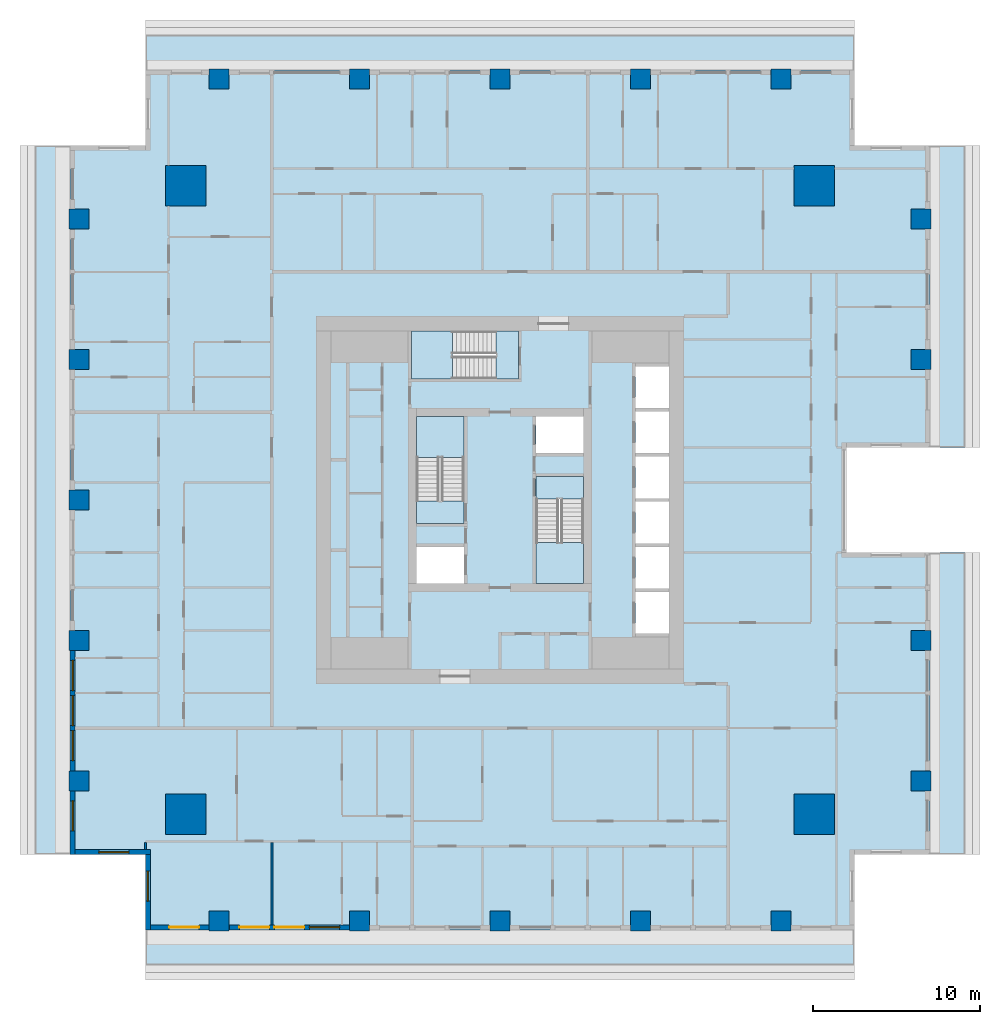
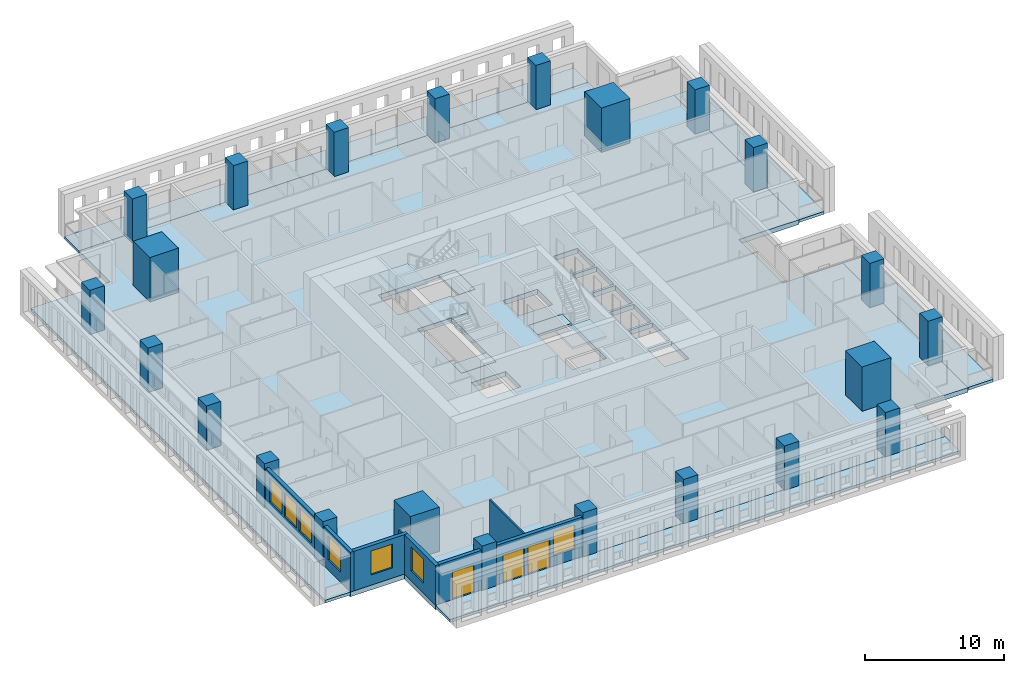
# One storey, part 1 of 16: 23 columns, 12 slabs, 8 walls, 7 windows, 3 doors, 10 openings, 3 elements without a shape of their own.
"""IFC4 building model written with IfcOpenShell, lengths in metres."""

from ifc_helpers import new_model, si_unit, direction, frame, frame_2d, origin, origin_2d, place, context, subcontext, project, spatial, polyline, rectangle, outline, extrude, material, layer, layer_set, material_profile, profile_set, type_object, element, fill, aggregate, save


model = new_model("IFC4")

# Units and contexts
model_context = context("Model", 3, precision=1e-05, world=origin(), true_north=direction((0.0, 1.0)))
body_context = subcontext(model_context, "Body", "Model", "MODEL_VIEW")
ifc_project = project(units=[si_unit("LENGTHUNIT", "METRE"), si_unit("AREAUNIT", "SQUARE_METRE"), si_unit("VOLUMEUNIT", "CUBIC_METRE"), si_unit("PLANEANGLEUNIT", "RADIAN"), si_unit("MASSUNIT", "GRAM", prefix="KILO")], contexts=[model_context])

# Site, building, storey
site_placement = place(None, origin())
site = spatial("IfcSite", under=ifc_project, at=site_placement, CompositionType="ELEMENT")
building_placement = place(site_placement, origin())
building = spatial("IfcBuilding", under=site, at=building_placement, Name="Khepri Terraces", CompositionType="ELEMENT")
storey_placement = place(building_placement, frame((0.0, 0.0, 192.300048828125)))
storey = spatial("IfcBuildingStorey", under=building, at=storey_placement, Name="L45", CompositionType="ELEMENT", Elevation=192.300048828125)

# Columns
ifc_material_1 = material(Name="Concrete C50/60", Category="concrete")
ifc_material_profile_1 = material_profile(ifc_material_1, rectangle(XDim=2.39990234375, YDim=2.39990234375, at=origin_2d()), Name="Concrete C50/60", Category="concrete")
ifc_profile_set_1 = profile_set([ifc_material_profile_1], Name="Concrete C50/60")
column_type_1 = type_object("IfcColumnType", Name="Mega column RC 2400x2400 C50/60", PredefinedType="COLUMN", material=ifc_profile_set_1)
for number, where, z_axis, x_axis, name in (
    (1, (18.800048828125, 18.800048828125, 0.0), (0.0, 0.0, 1.0), (1.0, 0.0, 0.0), "Mega column MEN L45"),
    (2, (18.800048828125, -18.800048828125, 0.0), (0.0, 0.0, 1.0), (1.0, 0.0, 0.0), "Mega column MES L45"),
    (3, (-18.800048828125, 18.800048828125, 0.0), (0.0, 0.0, 1.0), (1.0, 0.0, 0.0), "Mega column MWN L45"),
    (4, (-18.800048828125, -18.800048828125, 0.0), (0.0, 0.0, 1.0), (1.0, 0.0, 0.0), "Mega column MWS L45"),
):
    element("IfcColumn", number, at=place(storey_placement, frame(where, z_axis=z_axis, x_axis=x_axis)), inside=storey, type_object=column_type_1, Name=name, PredefinedType="COLUMN", context=body_context, shape_type="SweptSolid", body=[
        extrude(rectangle(XDim=2.39990234375, YDim=2.39990234375, at=origin_2d()), origin(), (0.0, 0.0, 1.0), 3.89990234375),
    ])
ifc_material_profile_2 = material_profile(ifc_material_1, rectangle(XDim=1.199951171875, YDim=1.199951171875, at=origin_2d()), Name="Concrete C50/60", Category="concrete")
ifc_profile_set_2 = profile_set([ifc_material_profile_2], Name="Concrete C50/60")
column_type_2 = type_object("IfcColumnType", Name="Tower column RC 1200x1200 C50/60", PredefinedType="COLUMN", material=ifc_profile_set_2)
for number, where, z_axis, x_axis, name in (
    (5, (25.199951171875, 8.39990234375, 0.0), (0.0, 0.0, 1.0), (1.0, 0.0, 0.0), "Perimeter column PE+084a L45"),
    (6, (25.199951171875, 16.800048828125, 0.0), (0.0, 0.0, 1.0), (1.0, 0.0, 0.0), "Perimeter column PE+168a L45"),
    (7, (25.199951171875, -8.39990234375, 0.0), (0.0, 0.0, 1.0), (1.0, 0.0, 0.0), "Perimeter column PE-084a L45"),
    (8, (25.199951171875, -16.800048828125, 0.0), (0.0, 0.0, 1.0), (1.0, 0.0, 0.0), "Perimeter column PE-168a L45"),
    (9, (0.0, 25.199951171875, 0.0), (0.0, 0.0, 1.0), (1.0, 0.0, 0.0), "Perimeter column PN+000b L45"),
    (10, (-8.39990234375, 25.199951171875, 0.0), (0.0, 0.0, 1.0), (1.0, 0.0, 0.0), "Perimeter column PN+084b L45"),
    (11, (-16.800048828125, 25.199951171875, 0.0), (0.0, 0.0, 1.0), (1.0, 0.0, 0.0), "Perimeter column PN+168a L45"),
    (12, (8.39990234375, 25.199951171875, 0.0), (0.0, 0.0, 1.0), (1.0, 0.0, 0.0), "Perimeter column PN-084b L45"),
    (13, (16.800048828125, 25.199951171875, 0.0), (0.0, 0.0, 1.0), (1.0, 0.0, 0.0), "Perimeter column PN-168a L45"),
    (14, (0.0, -25.199951171875, 0.0), (0.0, 0.0, 1.0), (1.0, 0.0, 0.0), "Perimeter column PS+000b L45"),
    (15, (8.39990234375, -25.199951171875, 0.0), (0.0, 0.0, 1.0), (1.0, 0.0, 0.0), "Perimeter column PS+084b L45"),
    (16, (16.800048828125, -25.199951171875, 0.0), (0.0, 0.0, 1.0), (1.0, 0.0, 0.0), "Perimeter column PS+168a L45"),
    (17, (-8.39990234375, -25.199951171875, 0.0), (0.0, 0.0, 1.0), (1.0, 0.0, 0.0), "Perimeter column PS-084b L45"),
    (18, (-16.800048828125, -25.199951171875, 0.0), (0.0, 0.0, 1.0), (1.0, 0.0, 0.0), "Perimeter column PS-168a L45"),
    (19, (-25.199951171875, 0.0, 0.0), (0.0, 0.0, 1.0), (1.0, 0.0, 0.0), "Perimeter column PW+000b L45"),
    (20, (-25.199951171875, -8.39990234375, 0.0), (0.0, 0.0, 1.0), (1.0, 0.0, 0.0), "Perimeter column PW+084b L45"),
    (21, (-25.199951171875, -16.800048828125, 0.0), (0.0, 0.0, 1.0), (1.0, 0.0, 0.0), "Perimeter column PW+168a L45"),
    (22, (-25.199951171875, 8.39990234375, 0.0), (0.0, 0.0, 1.0), (1.0, 0.0, 0.0), "Perimeter column PW-084b L45"),
    (23, (-25.199951171875, 16.800048828125, 0.0), (0.0, 0.0, 1.0), (1.0, 0.0, 0.0), "Perimeter column PW-168a L45"),
):
    element("IfcColumn", number, at=place(storey_placement, frame(where, z_axis=z_axis, x_axis=x_axis)), inside=storey, type_object=column_type_2, Name=name, PredefinedType="COLUMN", context=body_context, shape_type="SweptSolid", body=[
        extrude(rectangle(XDim=1.199951171875, YDim=1.199951171875, at=origin_2d()), origin(), (0.0, 0.0, 1.0), 3.89990234375),
    ])

# Slabs
ifc_material_2 = material(Name="Concrete C40/50", Category="concrete")
ifc_layer_1 = layer(ifc_material_2, 0.419921875, Name="Concrete C40/50", Category="concrete")
ifc_layer_set_1 = layer_set([ifc_layer_1], Name="Concrete C40/50")
slab_type_1 = type_object("IfcSlabType", Name="Flat plate 420", PredefinedType="FLOOR", material=ifc_layer_set_1)
slab_1_placement = place(storey_placement, frame((0.0, 0.0, -0.420166015625)))
element("IfcSlab", 24, at=slab_1_placement, inside=storey, type_object=slab_type_1, Name="Floor slab F01 L45", PredefinedType="FLOOR", context=body_context, shape_type="SweptSolid", body=[
    extrude(outline(polyline([(25.719970703125, 3.14990234375), (20.719970703125, 3.14990234375), (20.719970703125, -3.14990234375), (25.719970703125, -3.14990234375), (25.719970703125, -21.219970703125), (21.219970703125, -21.219970703125), (21.219970703125, -25.719970703125), (-21.219970703125, -25.719970703125), (-21.219970703125, -21.219970703125), (-25.719970703125, -21.219970703125), (-25.719970703125, 21.219970703125), (-21.219970703125, 21.219970703125), (-21.219970703125, 25.719970703125), (21.219970703125, 25.719970703125), (21.219970703125, 21.219970703125), (25.719970703125, 21.219970703125), (25.719970703125, 3.14990234375)]), holes=[polyline([(2.14990234375, 2.800048828125), (5.0, 2.800048828125), (5.0, 5.0), (2.14990234375, 5.0), (2.14990234375, 2.800048828125)]), polyline([(-5.0, -2.800048828125), (-5.0, -5.0), (-2.14990234375, -5.0), (-2.14990234375, -2.800048828125), (-5.0, -2.800048828125)]), polyline([(10.10009765625, -5.5), (8.10009765625, -5.5), (8.10009765625, -8.0), (10.10009765625, -8.0), (10.10009765625, -5.5)]), polyline([(10.10009765625, -5.300048828125), (10.10009765625, -2.800048828125), (8.10009765625, -2.800048828125), (8.10009765625, -5.300048828125), (10.10009765625, -5.300048828125)]), polyline([(8.10009765625, -2.60009765625), (10.10009765625, -2.60009765625), (10.10009765625, -0.10009765625), (8.10009765625, -0.10009765625), (8.10009765625, -2.60009765625)]), polyline([(8.10009765625, 2.60009765625), (8.10009765625, 0.10009765625), (10.10009765625, 0.10009765625), (10.10009765625, 2.60009765625), (8.10009765625, 2.60009765625)]), polyline([(10.10009765625, 5.300048828125), (8.10009765625, 5.300048828125), (8.10009765625, 2.800048828125), (10.10009765625, 2.800048828125), (10.10009765625, 5.300048828125)]), polyline([(10.10009765625, 5.5), (10.10009765625, 8.0), (8.10009765625, 8.0), (8.10009765625, 5.5), (10.10009765625, 5.5)]), polyline([(-5.0, -1.39990234375), (-2.14990234375, -1.39990234375), (-2.14990234375, 5.0), (-5.0, 5.0), (-5.0, -1.39990234375)]), polyline([(5.0, -5.0), (5.0, 1.39990234375), (2.14990234375, 1.39990234375), (2.14990234375, -5.0), (5.0, -5.0)]), polyline([(-5.300048828125, 10.10009765625), (-5.300048828125, 7.25), (1.10009765625, 7.25), (1.10009765625, 10.10009765625), (-5.300048828125, 10.10009765625)])]), origin(), (0.0, 0.0, 1.0), 0.420166015625),
])
ifc_material_3 = material(Name="Precast concrete C50/60 warm stone", Category="masonry")
ifc_layer_2 = layer(ifc_material_3, 0.25, Name="Precast concrete C50/60 warm stone", Category="masonry")
ifc_layer_set_2 = layer_set([ifc_layer_2], Name="Precast concrete C50/60 warm stone")
slab_type_2 = type_object("IfcSlabType", Name="SLB-BALCONY-250", PredefinedType="FLOOR", material=ifc_layer_set_2)
slab_2_placement = place(storey_placement, frame((0.0, 0.0, -0.25)))
element("IfcSlab", 25, at=slab_2_placement, inside=storey, type_object=slab_type_2, Name="Balcony slab L45 S", PredefinedType="FLOOR", context=body_context, shape_type="SweptSolid", body=[
    extrude(outline(polyline([(-17.39990234375, -25.719970703125), (-21.219970703125, -25.719970703125), (-21.219970703125, -27.820068359375), (21.219970703125, -27.820068359375), (21.219970703125, -25.719970703125), (17.39990234375, -25.719970703125), (17.39990234375, -25.800048828125), (16.199951171875, -25.800048828125), (16.199951171875, -25.719970703125), (9.0, -25.719970703125), (9.0, -25.800048828125), (7.800048828125, -25.800048828125), (7.800048828125, -25.719970703125), (0.60009765625, -25.719970703125), (0.60009765625, -25.800048828125), (-0.60009765625, -25.800048828125), (-0.60009765625, -25.719970703125), (-7.800048828125, -25.719970703125), (-7.800048828125, -25.800048828125), (-9.0, -25.800048828125), (-9.0, -25.719970703125), (-16.199951171875, -25.719970703125), (-16.199951171875, -25.800048828125), (-17.39990234375, -25.800048828125), (-17.39990234375, -25.719970703125)])), origin(), (0.0, 0.0, 1.0), 0.25),
])
slab_3_placement = place(storey_placement, frame((0.0, 0.0, -0.25)))
element("IfcSlab", 26, at=slab_3_placement, inside=storey, type_object=slab_type_2, Name="Balcony slab L45 E", PredefinedType="FLOOR", context=body_context, shape_type="SweptSolid", body=[
    extrude(outline(polyline([(25.719970703125, -17.39990234375), (25.719970703125, -21.219970703125), (27.820068359375, -21.219970703125), (27.820068359375, -3.14990234375), (25.719970703125, -3.14990234375), (25.719970703125, -7.800048828125), (25.800048828125, -7.800048828125), (25.800048828125, -9.0), (25.719970703125, -9.0), (25.719970703125, -16.199951171875), (25.800048828125, -16.199951171875), (25.800048828125, -17.39990234375), (25.719970703125, -17.39990234375)])), origin(), (0.0, 0.0, 1.0), 0.25),
])
slab_4_placement = place(storey_placement, frame((0.0, 0.0, -0.25)))
element("IfcSlab", 27, at=slab_4_placement, inside=storey, type_object=slab_type_2, Name="Balcony slab L45 E", PredefinedType="FLOOR", context=body_context, shape_type="SweptSolid", body=[
    extrude(outline(polyline([(25.719970703125, 7.800048828125), (25.719970703125, 3.14990234375), (27.820068359375, 3.14990234375), (27.820068359375, 21.219970703125), (25.719970703125, 21.219970703125), (25.719970703125, 17.39990234375), (25.800048828125, 17.39990234375), (25.800048828125, 16.199951171875), (25.719970703125, 16.199951171875), (25.719970703125, 9.0), (25.800048828125, 9.0), (25.800048828125, 7.800048828125), (25.719970703125, 7.800048828125)])), origin(), (0.0, 0.0, 1.0), 0.25),
])
slab_5_placement = place(storey_placement, frame((0.0, 0.0, -0.25)))
element("IfcSlab", 28, at=slab_5_placement, inside=storey, type_object=slab_type_2, Name="Balcony slab L45 N", PredefinedType="FLOOR", context=body_context, shape_type="SweptSolid", body=[
    extrude(outline(polyline([(17.39990234375, 25.719970703125), (21.219970703125, 25.719970703125), (21.219970703125, 27.820068359375), (-21.219970703125, 27.820068359375), (-21.219970703125, 25.719970703125), (-17.39990234375, 25.719970703125), (-17.39990234375, 25.800048828125), (-16.199951171875, 25.800048828125), (-16.199951171875, 25.719970703125), (-9.0, 25.719970703125), (-9.0, 25.800048828125), (-7.800048828125, 25.800048828125), (-7.800048828125, 25.719970703125), (-0.60009765625, 25.719970703125), (-0.60009765625, 25.800048828125), (0.60009765625, 25.800048828125), (0.60009765625, 25.719970703125), (7.800048828125, 25.719970703125), (7.800048828125, 25.800048828125), (9.0, 25.800048828125), (9.0, 25.719970703125), (16.199951171875, 25.719970703125), (16.199951171875, 25.800048828125), (17.39990234375, 25.800048828125), (17.39990234375, 25.719970703125)])), origin(), (0.0, 0.0, 1.0), 0.25),
])
slab_6_placement = place(storey_placement, frame((0.0, 0.0, -0.25)))
element("IfcSlab", 29, at=slab_6_placement, inside=storey, type_object=slab_type_2, Name="Balcony slab L45 W", PredefinedType="FLOOR", context=body_context, shape_type="SweptSolid", body=[
    extrude(outline(polyline([(-25.719970703125, 17.39990234375), (-25.719970703125, 21.219970703125), (-27.820068359375, 21.219970703125), (-27.820068359375, -21.219970703125), (-25.719970703125, -21.219970703125), (-25.719970703125, -17.39990234375), (-25.800048828125, -17.39990234375), (-25.800048828125, -16.199951171875), (-25.719970703125, -16.199951171875), (-25.719970703125, -9.0), (-25.800048828125, -9.0), (-25.800048828125, -7.800048828125), (-25.719970703125, -7.800048828125), (-25.719970703125, -0.60009765625), (-25.800048828125, -0.60009765625), (-25.800048828125, 0.60009765625), (-25.719970703125, 0.60009765625), (-25.719970703125, 7.800048828125), (-25.800048828125, 7.800048828125), (-25.800048828125, 9.0), (-25.719970703125, 9.0), (-25.719970703125, 16.199951171875), (-25.800048828125, 16.199951171875), (-25.800048828125, 17.39990234375), (-25.719970703125, 17.39990234375)])), origin(), (0.0, 0.0, 1.0), 0.25),
])

# Stair, slabs
stair_type = type_object("IfcStairType", Name="STAIR-RC-22R", PredefinedType="HALF_TURN_STAIR", material=ifc_material_2)
stair_1_placement = place(storey_placement, origin())
stair_1 = element("IfcStair", 30, at=stair_1_placement, inside=storey, type_object=stair_type, Name="L45 Exit Stair ST-1", PredefinedType="HALF_TURN_STAIR")
ifc_layer_3 = layer(ifc_material_2, 0.199951171875, Name="Concrete C40/50", Category="concrete")
ifc_layer_set_3 = layer_set([ifc_layer_3], Name="Concrete C40/50")
slab_type_3 = type_object("IfcSlabType", Name="SLB-CORE-LANDING", PredefinedType="LANDING", material=ifc_layer_set_3)
slab_7_placement = place(storey_placement, frame((0.0, 0.0, -0.199951171875)))
slab_7 = element("IfcSlab", 31, at=slab_7_placement, type_object=slab_type_3, Name="ST-1 landing 1", PredefinedType="LANDING", context=body_context, shape_type="SweptSolid", body=[
    extrude(outline(polyline([(-2.14990234375, -1.39990234375), (-2.14990234375, -0.050048828125), (-5.0, -0.050048828125), (-5.0, -1.39990234375), (-2.14990234375, -1.39990234375)])), origin(), (0.0, 0.0, 1.0), 0.199951171875),
])
slab_8_placement = place(storey_placement, frame((0.0, 0.0, 1.75)))
slab_8 = element("IfcSlab", 32, at=slab_8_placement, type_object=slab_type_3, Name="ST-1 landing 2", PredefinedType="LANDING", context=body_context, shape_type="SweptSolid", body=[
    extrude(outline(polyline([(-2.14990234375, 2.550048828125), (-2.14990234375, 5.0), (-5.0, 5.0), (-5.0, 2.550048828125), (-2.14990234375, 2.550048828125)])), origin(), (0.0, 0.0, 1.0), 0.199951171875),
])
aggregate(stair_1, [slab_7, slab_8])

stair_2_placement = place(storey_placement, origin())
stair_2 = element("IfcStair", 33, at=stair_2_placement, inside=storey, type_object=stair_type, Name="L45 Exit Stair ST-2", PredefinedType="HALF_TURN_STAIR")
slab_9_placement = place(storey_placement, frame((0.0, 0.0, -0.199951171875)))
slab_9 = element("IfcSlab", 34, at=slab_9_placement, type_object=slab_type_3, Name="ST-2 landing 1", PredefinedType="LANDING", context=body_context, shape_type="SweptSolid", body=[
    extrude(outline(polyline([(2.14990234375, 1.39990234375), (2.14990234375, 0.050048828125), (5.0, 0.050048828125), (5.0, 1.39990234375), (2.14990234375, 1.39990234375)])), origin(), (0.0, 0.0, 1.0), 0.199951171875),
])
slab_10_placement = place(storey_placement, frame((0.0, 0.0, 1.75)))
slab_10 = element("IfcSlab", 35, at=slab_10_placement, type_object=slab_type_3, Name="ST-2 landing 2", PredefinedType="LANDING", context=body_context, shape_type="SweptSolid", body=[
    extrude(outline(polyline([(2.14990234375, -2.550048828125), (2.14990234375, -5.0), (5.0, -5.0), (5.0, -2.550048828125), (2.14990234375, -2.550048828125)])), origin(), (0.0, 0.0, 1.0), 0.199951171875),
])
aggregate(stair_2, [slab_9, slab_10])

stair_3_placement = place(storey_placement, origin())
stair_3 = element("IfcStair", 36, at=stair_3_placement, inside=storey, type_object=stair_type, Name="L45 Exit Stair ST-3", PredefinedType="HALF_TURN_STAIR")
slab_11_placement = place(storey_placement, frame((0.0, 0.0, -0.199951171875)))
slab_11 = element("IfcSlab", 37, at=slab_11_placement, type_object=slab_type_3, Name="ST-3 landing 1", PredefinedType="LANDING", context=body_context, shape_type="SweptSolid", body=[
    extrude(outline(polyline([(1.10009765625, 10.10009765625), (-0.25, 10.10009765625), (-0.25, 7.25), (1.10009765625, 7.25), (1.10009765625, 10.10009765625)])), origin(), (0.0, 0.0, 1.0), 0.199951171875),
])
slab_12_placement = place(storey_placement, frame((0.0, 0.0, 1.75)))
slab_12 = element("IfcSlab", 38, at=slab_12_placement, type_object=slab_type_3, Name="ST-3 landing 2", PredefinedType="LANDING", context=body_context, shape_type="SweptSolid", body=[
    extrude(outline(polyline([(-2.85009765625, 10.10009765625), (-5.300048828125, 10.10009765625), (-5.300048828125, 7.25), (-2.85009765625, 7.25), (-2.85009765625, 10.10009765625)])), origin(), (0.0, 0.0, 1.0), 0.199951171875),
])
aggregate(stair_3, [slab_11, slab_12])

# Wall, openings, windows
ifc_layer_4 = layer(ifc_material_3, 0.300048828125, Name="Precast concrete C50/60 warm stone", Category="masonry")
ifc_layer_set_4 = layer_set([ifc_layer_4], Name="Precast concrete C50/60 warm stone")
wall_type_1 = type_object("IfcWallType", Name="WL-EXT-PRECAST-300", PredefinedType="STANDARD", material=ifc_layer_set_4)
wall_1_placement = place(storey_placement, frame((-25.570068359375, -9.0, 0.0), z_axis=(0.0, 0.0, 1.0), x_axis=(0.0, -1.0, 0.0)))
wall_1 = element("IfcWall", 39, at=wall_1_placement, inside=storey, type_object=wall_type_1, Name="External wall L45 W", PredefinedType="STANDARD", context=body_context, shape_type="SweptSolid", body=[
    extrude(rectangle(XDim=7.199951171875, YDim=0.300048828125, at=frame_2d((3.60009765625, 0.0))), origin(), (0.0, 0.0, 1.0), 3.47998046875),
])
opening_1_placement = place(wall_1_placement, frame((0.60009765625, 0.0, 0.89990234375)))
opening_1 = element("IfcOpeningElement", 40, at=opening_1_placement, cuts=wall_1, Name="Opening W1", PredefinedType="OPENING", context=body_context, shape_type="SweptSolid", body=[
    extrude(rectangle(XDim=1.800048828125, YDim=2.10009765625, at=frame_2d((0.89990234375, 1.050048828125))), frame((0.0, 0.16015625, 0.0), z_axis=(0.0, -1.0, 0.0), x_axis=(1.0, 0.0, 0.0)), (0.0, 0.0, 1.0), 0.320068359375),
])
opening_2_placement = place(wall_1_placement, frame((2.699951171875, 0.0, 0.89990234375)))
opening_2 = element("IfcOpeningElement", 41, at=opening_2_placement, cuts=wall_1, Name="Opening W1", PredefinedType="OPENING", context=body_context, shape_type="SweptSolid", body=[
    extrude(rectangle(XDim=1.800048828125, YDim=2.10009765625, at=frame_2d((0.89990234375, 1.050048828125))), frame((0.0, 0.16015625, 0.0), z_axis=(0.0, -1.0, 0.0), x_axis=(1.0, 0.0, 0.0)), (0.0, 0.0, 1.0), 0.320068359375),
])
opening_3_placement = place(wall_1_placement, frame((4.800048828125, 0.0, 0.89990234375)))
opening_3 = element("IfcOpeningElement", 42, at=opening_3_placement, cuts=wall_1, Name="Opening W1", PredefinedType="OPENING", context=body_context, shape_type="SweptSolid", body=[
    extrude(rectangle(XDim=1.800048828125, YDim=2.10009765625, at=frame_2d((0.89990234375, 1.050048828125))), frame((0.0, 0.16015625, 0.0), z_axis=(0.0, -1.0, 0.0), x_axis=(1.0, 0.0, 0.0)), (0.0, 0.0, 1.0), 0.320068359375),
])
ifc_material_4 = material(Name="Clear glass", Category="glass")
window_type = type_object("IfcWindowType", Name="WIN-RES-1800x2100", PartitioningType="SINGLE_PANEL", PredefinedType="WINDOW", material=ifc_material_4)
window_1_placement = place(opening_1_placement, origin())
window_1 = element("IfcWindow", 43, at=window_1_placement, inside=storey, type_object=window_type, Name="Window L45 W", OverallHeight=2.10009765625, OverallWidth=1.800048828125, PartitioningType="SINGLE_PANEL", PredefinedType="WINDOW", context=body_context, shape_type="SweptSolid", body=[
    extrude(rectangle(XDim=1.800048828125, YDim=2.10009765625, at=frame_2d((0.89990234375, 1.050048828125))), frame((0.0, 0.030029296875, 0.0), z_axis=(0.0, -1.0, 0.0), x_axis=(1.0, 0.0, 0.0)), (0.0, 0.0, 1.0), 0.06005859375),
])
fill(opening_1, window_1)
window_2_placement = place(opening_2_placement, origin())
window_2 = element("IfcWindow", 44, at=window_2_placement, inside=storey, type_object=window_type, Name="Window L45 W", OverallHeight=2.10009765625, OverallWidth=1.800048828125, PartitioningType="SINGLE_PANEL", PredefinedType="WINDOW", context=body_context, shape_type="SweptSolid", body=[
    extrude(rectangle(XDim=1.800048828125, YDim=2.10009765625, at=frame_2d((0.89990234375, 1.050048828125))), frame((0.0, 0.030029296875, 0.0), z_axis=(0.0, -1.0, 0.0), x_axis=(1.0, 0.0, 0.0)), (0.0, 0.0, 1.0), 0.06005859375),
])
fill(opening_2, window_2)
window_3_placement = place(opening_3_placement, origin())
window_3 = element("IfcWindow", 45, at=window_3_placement, inside=storey, type_object=window_type, Name="Window L45 W", OverallHeight=2.10009765625, OverallWidth=1.800048828125, PartitioningType="SINGLE_PANEL", PredefinedType="WINDOW", context=body_context, shape_type="SweptSolid", body=[
    extrude(rectangle(XDim=1.800048828125, YDim=2.10009765625, at=frame_2d((0.89990234375, 1.050048828125))), frame((0.0, 0.030029296875, 0.0), z_axis=(0.0, -1.0, 0.0), x_axis=(1.0, 0.0, 0.0)), (0.0, 0.0, 1.0), 0.06005859375),
])
fill(opening_3, window_3)

# Wall, opening, window
wall_2_placement = place(storey_placement, frame((-25.570068359375, -17.39990234375, 0.0), z_axis=(0.0, 0.0, 1.0), x_axis=(0.0, -1.0, 0.0)))
wall_2 = element("IfcWall", 46, at=wall_2_placement, inside=storey, type_object=wall_type_1, Name="External wall L45 W", PredefinedType="STANDARD", context=body_context, shape_type="SweptSolid", body=[
    extrude(rectangle(XDim=3.820068359375, YDim=0.300048828125, at=frame_2d((1.91015625, 0.0))), origin(), (0.0, 0.0, 1.0), 3.47998046875),
])
opening_4_placement = place(wall_2_placement, frame((0.60009765625, 0.0, 0.89990234375)))
opening_4 = element("IfcOpeningElement", 47, at=opening_4_placement, cuts=wall_2, Name="Opening W1", PredefinedType="OPENING", context=body_context, shape_type="SweptSolid", body=[
    extrude(rectangle(XDim=1.800048828125, YDim=2.10009765625, at=frame_2d((0.89990234375, 1.050048828125))), frame((0.0, 0.16015625, 0.0), z_axis=(0.0, -1.0, 0.0), x_axis=(1.0, 0.0, 0.0)), (0.0, 0.0, 1.0), 0.320068359375),
])
window_4_placement = place(opening_4_placement, origin())
window_4 = element("IfcWindow", 48, at=window_4_placement, inside=storey, type_object=window_type, Name="Window L45 W", OverallHeight=2.10009765625, OverallWidth=1.800048828125, PartitioningType="SINGLE_PANEL", PredefinedType="WINDOW", context=body_context, shape_type="SweptSolid", body=[
    extrude(rectangle(XDim=1.800048828125, YDim=2.10009765625, at=frame_2d((0.89990234375, 1.050048828125))), frame((0.0, 0.030029296875, 0.0), z_axis=(0.0, -1.0, 0.0), x_axis=(1.0, 0.0, 0.0)), (0.0, 0.0, 1.0), 0.06005859375),
])
fill(opening_4, window_4)

wall_3_placement = place(storey_placement, frame((-25.419921875, -21.070068359375, 0.0), z_axis=(0.0, 0.0, 1.0), x_axis=(1.0, 0.0, 0.0)))
wall_3 = element("IfcWall", 49, at=wall_3_placement, inside=storey, type_object=wall_type_1, Name="External wall L45 S", PredefinedType="STANDARD", context=body_context, shape_type="SweptSolid", body=[
    extrude(rectangle(XDim=4.5, YDim=0.300048828125, at=frame_2d((2.25, 0.0))), origin(), (0.0, 0.0, 1.0), 3.47998046875),
])
opening_5_placement = place(wall_3_placement, frame((1.419921875, 0.0, 0.89990234375)))
opening_5 = element("IfcOpeningElement", 50, at=opening_5_placement, cuts=wall_3, Name="Opening W1", PredefinedType="OPENING", context=body_context, shape_type="SweptSolid", body=[
    extrude(rectangle(XDim=1.800048828125, YDim=2.10009765625, at=frame_2d((0.89990234375, 1.050048828125))), frame((0.0, 0.16015625, 0.0), z_axis=(0.0, -1.0, 0.0), x_axis=(1.0, 0.0, 0.0)), (0.0, 0.0, 1.0), 0.320068359375),
])
window_5_placement = place(opening_5_placement, origin())
window_5 = element("IfcWindow", 51, at=window_5_placement, inside=storey, type_object=window_type, Name="Window L45 S", OverallHeight=2.10009765625, OverallWidth=1.800048828125, PartitioningType="SINGLE_PANEL", PredefinedType="WINDOW", context=body_context, shape_type="SweptSolid", body=[
    extrude(rectangle(XDim=1.800048828125, YDim=2.10009765625, at=frame_2d((0.89990234375, 1.050048828125))), frame((0.0, 0.030029296875, 0.0), z_axis=(0.0, -1.0, 0.0), x_axis=(1.0, 0.0, 0.0)), (0.0, 0.0, 1.0), 0.06005859375),
])
fill(opening_5, window_5)

wall_4_placement = place(storey_placement, frame((-21.070068359375, -21.219970703125, 0.0), z_axis=(0.0, 0.0, 1.0), x_axis=(0.0, -1.0, 0.0)))
wall_4 = element("IfcWall", 52, at=wall_4_placement, inside=storey, type_object=wall_type_1, Name="External wall L45 W", PredefinedType="STANDARD", context=body_context, shape_type="SweptSolid", body=[
    extrude(rectangle(XDim=4.5, YDim=0.300048828125, at=frame_2d((2.25, 0.0))), origin(), (0.0, 0.0, 1.0), 3.47998046875),
])
opening_6_placement = place(wall_4_placement, frame((0.97998046875, 0.0, 0.89990234375)))
opening_6 = element("IfcOpeningElement", 53, at=opening_6_placement, cuts=wall_4, Name="Opening W1", PredefinedType="OPENING", context=body_context, shape_type="SweptSolid", body=[
    extrude(rectangle(XDim=1.800048828125, YDim=2.10009765625, at=frame_2d((0.89990234375, 1.050048828125))), frame((0.0, 0.16015625, 0.0), z_axis=(0.0, -1.0, 0.0), x_axis=(1.0, 0.0, 0.0)), (0.0, 0.0, 1.0), 0.320068359375),
])
window_6_placement = place(opening_6_placement, origin())
window_6 = element("IfcWindow", 54, at=window_6_placement, inside=storey, type_object=window_type, Name="Window L45 W", OverallHeight=2.10009765625, OverallWidth=1.800048828125, PartitioningType="SINGLE_PANEL", PredefinedType="WINDOW", context=body_context, shape_type="SweptSolid", body=[
    extrude(rectangle(XDim=1.800048828125, YDim=2.10009765625, at=frame_2d((0.89990234375, 1.050048828125))), frame((0.0, 0.030029296875, 0.0), z_axis=(0.0, -1.0, 0.0), x_axis=(1.0, 0.0, 0.0)), (0.0, 0.0, 1.0), 0.06005859375),
])
fill(opening_6, window_6)

# Wall, opening, door
wall_5_placement = place(storey_placement, frame((-20.919921875, -25.570068359375, 0.0), z_axis=(0.0, 0.0, 1.0), x_axis=(1.0, 0.0, 0.0)))
wall_5 = element("IfcWall", 55, at=wall_5_placement, inside=storey, type_object=wall_type_1, Name="External wall L45 S", PredefinedType="STANDARD", context=body_context, shape_type="SweptSolid", body=[
    extrude(rectangle(XDim=3.52001953125, YDim=0.300048828125, at=frame_2d((1.760009765625, 0.0))), origin(), (0.0, 0.0, 1.0), 3.47998046875),
])
opening_7_placement = place(wall_5_placement, frame((1.1201171875, 0.0, 0.0)))
opening_7 = element("IfcOpeningElement", 56, at=opening_7_placement, cuts=wall_5, Name="Opening ED-L45-16", PredefinedType="OPENING", context=body_context, shape_type="SweptSolid", body=[
    extrude(rectangle(XDim=1.800048828125, YDim=2.39990234375, at=frame_2d((0.89990234375, 1.199951171875))), frame((0.0, 0.16015625, 0.0), z_axis=(0.0, -1.0, 0.0), x_axis=(1.0, 0.0, 0.0)), (0.0, 0.0, 1.0), 0.320068359375),
])
ifc_material_5 = material(Name="Anodised aluminium bronze glazed door", Category="aluminium")
door_type = type_object("IfcDoorType", Name="DR-BAL-SLIDE-1800x2400", OperationType="NOTDEFINED", PredefinedType="DOOR", material=ifc_material_5)
door_1_placement = place(opening_7_placement, origin())
door_1 = element("IfcDoor", 57, at=door_1_placement, inside=storey, type_object=door_type, Name="Balcony door L45 S", OperationType="SLIDING_TO_RIGHT", OverallHeight=2.39990234375, OverallWidth=1.800048828125, PredefinedType="DOOR", context=body_context, shape_type="SweptSolid", body=[
    extrude(rectangle(XDim=1.800048828125, YDim=2.39990234375, at=frame_2d((0.89990234375, 1.199951171875))), frame((0.0, 0.02490234375, 0.0), z_axis=(0.0, -1.0, 0.0), x_axis=(1.0, 0.0, 0.0)), (0.0, 0.0, 1.0), 0.050048828125),
])
fill(opening_7, door_1)

# Wall, openings, doors, window
wall_6_placement = place(storey_placement, frame((-16.199951171875, -25.570068359375, 0.0), z_axis=(0.0, 0.0, 1.0), x_axis=(1.0, 0.0, 0.0)))
wall_6 = element("IfcWall", 58, at=wall_6_placement, inside=storey, type_object=wall_type_1, Name="External wall L45 S", PredefinedType="STANDARD", context=body_context, shape_type="SweptSolid", body=[
    extrude(rectangle(XDim=7.199951171875, YDim=0.300048828125, at=frame_2d((3.60009765625, 0.0))), origin(), (0.0, 0.0, 1.0), 3.47998046875),
])
opening_8_placement = place(wall_6_placement, frame((0.60009765625, 0.0, 0.0)))
opening_8 = element("IfcOpeningElement", 59, at=opening_8_placement, cuts=wall_6, Name="Opening ED-L45-17", PredefinedType="OPENING", context=body_context, shape_type="SweptSolid", body=[
    extrude(rectangle(XDim=1.800048828125, YDim=2.39990234375, at=frame_2d((0.89990234375, 1.199951171875))), frame((0.0, 0.16015625, 0.0), z_axis=(0.0, -1.0, 0.0), x_axis=(1.0, 0.0, 0.0)), (0.0, 0.0, 1.0), 0.320068359375),
])
opening_9_placement = place(wall_6_placement, frame((2.699951171875, 0.0, 0.0)))
opening_9 = element("IfcOpeningElement", 60, at=opening_9_placement, cuts=wall_6, Name="Opening ED-L45-18", PredefinedType="OPENING", context=body_context, shape_type="SweptSolid", body=[
    extrude(rectangle(XDim=1.800048828125, YDim=2.39990234375, at=frame_2d((0.89990234375, 1.199951171875))), frame((0.0, 0.16015625, 0.0), z_axis=(0.0, -1.0, 0.0), x_axis=(1.0, 0.0, 0.0)), (0.0, 0.0, 1.0), 0.320068359375),
])
opening_10_placement = place(wall_6_placement, frame((4.800048828125, 0.0, 0.89990234375)))
opening_10 = element("IfcOpeningElement", 61, at=opening_10_placement, cuts=wall_6, Name="Opening W1", PredefinedType="OPENING", context=body_context, shape_type="SweptSolid", body=[
    extrude(rectangle(XDim=1.800048828125, YDim=2.10009765625, at=frame_2d((0.89990234375, 1.050048828125))), frame((0.0, 0.16015625, 0.0), z_axis=(0.0, -1.0, 0.0), x_axis=(1.0, 0.0, 0.0)), (0.0, 0.0, 1.0), 0.320068359375),
])
door_2_placement = place(opening_8_placement, origin())
door_2 = element("IfcDoor", 62, at=door_2_placement, inside=storey, type_object=door_type, Name="Balcony door L45 S", OperationType="SLIDING_TO_LEFT", OverallHeight=2.39990234375, OverallWidth=1.800048828125, PredefinedType="DOOR", context=body_context, shape_type="SweptSolid", body=[
    extrude(rectangle(XDim=1.800048828125, YDim=2.39990234375, at=frame_2d((0.89990234375, 1.199951171875))), frame((0.0, 0.02490234375, 0.0), z_axis=(0.0, -1.0, 0.0), x_axis=(1.0, 0.0, 0.0)), (0.0, 0.0, 1.0), 0.050048828125),
])
fill(opening_8, door_2)
door_3_placement = place(opening_9_placement, origin())
door_3 = element("IfcDoor", 63, at=door_3_placement, inside=storey, type_object=door_type, Name="Balcony door L45 S", OperationType="SLIDING_TO_RIGHT", OverallHeight=2.39990234375, OverallWidth=1.800048828125, PredefinedType="DOOR", context=body_context, shape_type="SweptSolid", body=[
    extrude(rectangle(XDim=1.800048828125, YDim=2.39990234375, at=frame_2d((0.89990234375, 1.199951171875))), frame((0.0, 0.02490234375, 0.0), z_axis=(0.0, -1.0, 0.0), x_axis=(1.0, 0.0, 0.0)), (0.0, 0.0, 1.0), 0.050048828125),
])
fill(opening_9, door_3)
window_7_placement = place(opening_10_placement, origin())
window_7 = element("IfcWindow", 64, at=window_7_placement, inside=storey, type_object=window_type, Name="Window L45 S", OverallHeight=2.10009765625, OverallWidth=1.800048828125, PartitioningType="SINGLE_PANEL", PredefinedType="WINDOW", context=body_context, shape_type="SweptSolid", body=[
    extrude(rectangle(XDim=1.800048828125, YDim=2.10009765625, at=frame_2d((0.89990234375, 1.050048828125))), frame((0.0, 0.030029296875, 0.0), z_axis=(0.0, -1.0, 0.0), x_axis=(1.0, 0.0, 0.0)), (0.0, 0.0, 1.0), 0.06005859375),
])
fill(opening_10, window_7)

# Walls
ifc_material_6 = material(Name="Gypsum plasterboard partition")
ifc_layer_5 = layer(ifc_material_6, 0.1201171875, Name="Gypsum plasterboard partition")
ifc_layer_set_5 = layer_set([ifc_layer_5], Name="Gypsum plasterboard partition")
wall_type_2 = type_object("IfcWallType", Name="WL-PART-120", PredefinedType="PARTITIONING", material=ifc_layer_set_5)
wall_7_placement = place(storey_placement, frame((-13.64990234375, -25.419921875, 0.0), z_axis=(0.0, 0.0, 1.0), x_axis=(0.0, 1.0, 0.0)))
element("IfcWall", 65, at=wall_7_placement, inside=storey, type_object=wall_type_2, Name="Partition P-001 L45", PredefinedType="PARTITIONING", context=body_context, shape_type="SweptSolid", body=[
    extrude(rectangle(XDim=4.93994140625, YDim=0.1201171875, at=frame_2d((2.469970703125, 0.0))), origin(), (0.0, 0.0, 1.0), 3.47998046875),
])
wall_8_placement = place(storey_placement, frame((-21.218994140625, -20.9208984375, 0.0), z_axis=(0.0, 0.0, 1.0), x_axis=(0.0, 1.0, 0.0)))
element("IfcWall", 66, at=wall_8_placement, inside=storey, type_object=wall_type_2, Name="Partition P-012 L45", PredefinedType="PARTITIONING", context=body_context, shape_type="SweptSolid", body=[
    extrude(rectangle(XDim=0.44091796875, YDim=0.1201171875, at=frame_2d((0.220458984375, 0.0))), origin(), (0.0, 0.0, 1.0), 3.47998046875),
])

save(model, "model.ifc")
